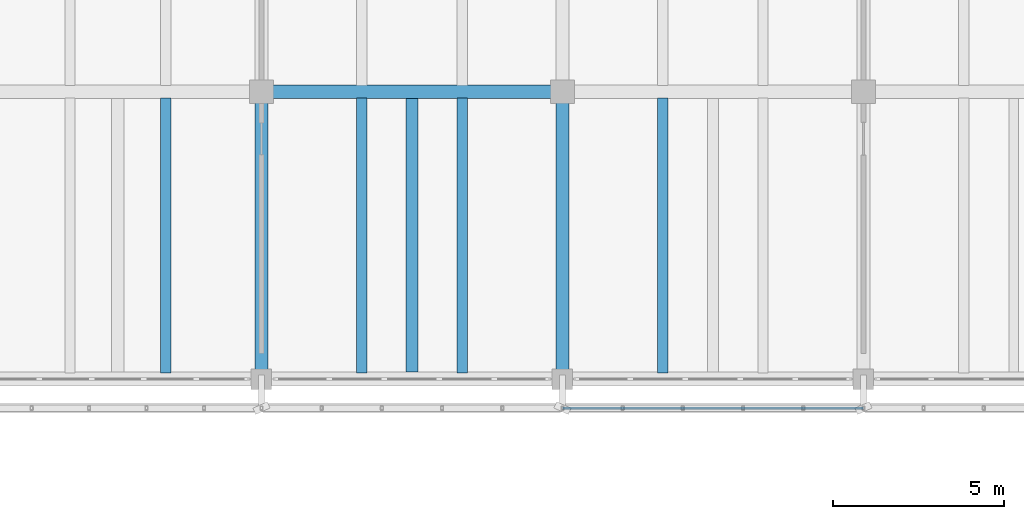
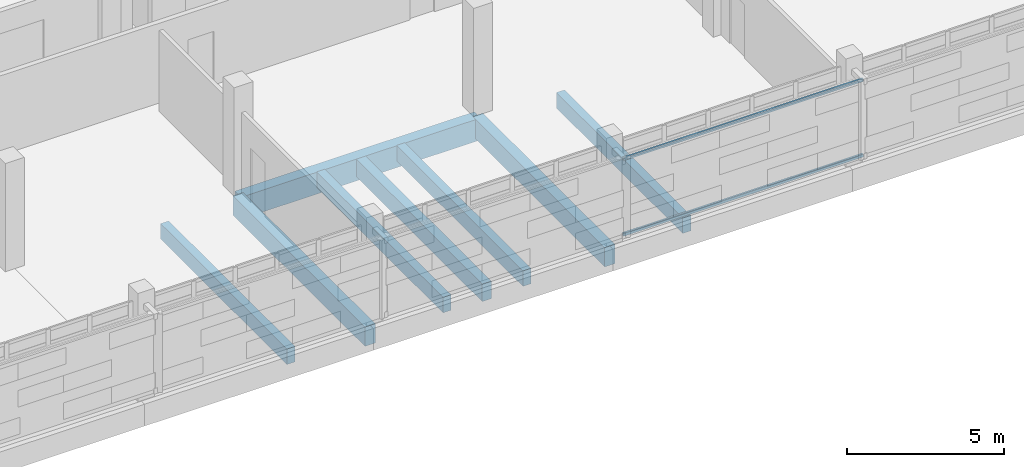
# One storey, part 55 of 137: 8 beams, 2 members.
"""IFC4 building model written with IfcOpenShell, lengths in metres."""

from ifc_helpers import new_model, si_unit, direction, frame, origin, origin_2d, place, context, subcontext, project, spatial, rectangle, hollow_rectangle, extrude, material, material_profile, profile_set, type_object, element, save


model = new_model("IFC4")

# Units and contexts
model_context = context("Model", 3, precision=1e-05, world=origin(), true_north=direction((0.0, 1.0)))
body_context = subcontext(model_context, "Body", "Model", "MODEL_VIEW")
ifc_project = project(units=[si_unit("LENGTHUNIT", "METRE"), si_unit("AREAUNIT", "SQUARE_METRE"), si_unit("VOLUMEUNIT", "CUBIC_METRE"), si_unit("PLANEANGLEUNIT", "RADIAN"), si_unit("MASSUNIT", "GRAM", prefix="KILO")], contexts=[model_context])

# Site, building, storey
site_placement = place(None, origin())
site = spatial("IfcSite", under=ifc_project, at=site_placement, CompositionType="ELEMENT")
building_placement = place(site_placement, origin())
building = spatial("IfcBuilding", under=site, at=building_placement, Name="Cinderway Yard Community Centre", CompositionType="ELEMENT")
storey_placement = place(building_placement, frame((0.0, 0.0, 4.800048828125)))
storey = spatial("IfcBuildingStorey", under=building, at=storey_placement, Name="L01", CompositionType="ELEMENT", Elevation=4.800048828125)

# Members
ifc_material_1 = material(Name="Steel S355", Category="steel")
ifc_material_profile_1 = material_profile(ifc_material_1, hollow_rectangle(XDim=0.080078125, YDim=0.1201171875, WallThickness=0.00634765625, InnerFilletRadius=0.00634765625, OuterFilletRadius=0.0126953125, at=origin_2d()), Name="Steel S355")
ifc_profile_set_1 = profile_set([ifc_material_profile_1], Name="Steel S355")
member_type = type_object("IfcMemberType", Name="ENV-MEM-SCREEN-RAIL-120", PredefinedType="STRINGER", material=ifc_profile_set_1)
for number, where, z_axis, x_axis, name in (
    (1, (84.0, 89.14990234375, 0.7099609375), (1.0, 0.0, 0.0), (0.0, 1.0, 0.0), "Screen support rail 0358-BOT"),
    (2, (84.0, 89.14990234375, 3.639892578125), (1.0, 0.0, 0.0), (0.0, 1.0, 0.0), "Screen support rail 0359-TOP"),
):
    element("IfcMember", number, at=place(storey_placement, frame(where, z_axis=z_axis, x_axis=x_axis)), inside=storey, type_object=member_type, Name=name, PredefinedType="STRINGER", context=body_context, shape_type="SweptSolid", body=[
        extrude(hollow_rectangle(XDim=0.080078125, YDim=0.1201171875, WallThickness=0.00634765625, InnerFilletRadius=0.00634765625, OuterFilletRadius=0.0126953125, at=origin_2d()), origin(), (0.0, 0.0, 1.0), 8.800048828125),
    ])

# Beams
ifc_material_2 = material(Name="Concrete C35/45", Category="concrete")
ifc_material_profile_2 = material_profile(ifc_material_2, rectangle(XDim=0.300048828125, YDim=0.60009765625, at=origin_2d()), Name="Concrete C35/45")
ifc_profile_set_2 = profile_set([ifc_material_profile_2], Name="Concrete C35/45")
beam_type_1 = type_object("IfcBeamType", Name="STR-BM-RC300X600", PredefinedType="JOIST", material=ifc_profile_set_2)
for number, where, z_axis, x_axis, name in (
    (3, (72.39990234375, 90.181884765625, -0.56005859375), (0.0, 1.0, 0.0), (-1.0, 0.0, 0.0), "Secondary joist STR-BM-L01-BJ02-0276"),
    (4, (78.133056640625, 90.181884765625, -0.56005859375), (0.0, 1.0, 0.0), (-1.0, 0.0, 0.0), "Secondary joist STR-BM-L01-BJ02-0281"),
    (5, (81.06689453125, 90.181884765625, -0.56005859375), (0.0, 1.0, 0.0), (-1.0, 0.0, 0.0), "Secondary joist STR-BM-L01-BJ02-0282"),
    (6, (86.93310546875, 90.181884765625, -0.56005859375), (0.0, 1.0, 0.0), (-1.0, 0.0, 0.0), "Secondary joist STR-BM-L01-BJ02-0285"),
):
    element("IfcBeam", number, at=place(storey_placement, frame(where, z_axis=z_axis, x_axis=x_axis)), inside=storey, type_object=beam_type_1, Name=name, PredefinedType="JOIST", context=body_context, shape_type="SweptSolid", body=[
        extrude(rectangle(XDim=0.300048828125, YDim=0.60009765625, at=origin_2d()), origin(), (0.0, 0.0, 1.0), 8.0361328125),
    ])
ifc_material_profile_3 = material_profile(ifc_material_2, rectangle(XDim=0.340087890625, YDim=0.679931640625, at=origin_2d()), Name="Concrete C35/45")
ifc_profile_set_3 = profile_set([ifc_material_profile_3], Name="Concrete C35/45")
beam_type_2 = type_object("IfcBeamType", Name="STR-BM-RC340X680", PredefinedType="BEAM", material=ifc_profile_set_3)
beam_1_placement = place(storey_placement, frame((79.60009765625, 90.199951171875, -0.60009765625), z_axis=(0.0, 1.0, 0.0), x_axis=(-1.0, 0.0, 0.0)))
element("IfcBeam", 7, at=beam_1_placement, inside=storey, type_object=beam_type_2, Name="Mid-bay secondary beam STR-BM-L01-BG10-1166", PredefinedType="BEAM", context=body_context, shape_type="SweptSolid", body=[
    extrude(rectangle(XDim=0.340087890625, YDim=0.679931640625, at=origin_2d()), origin(), (0.0, 0.0, 1.0), 8.0),
])
ifc_material_profile_4 = material_profile(ifc_material_2, rectangle(XDim=0.3798828125, YDim=0.75, at=origin_2d()), Name="Concrete C35/45")
ifc_profile_set_4 = profile_set([ifc_material_profile_4], Name="Concrete C35/45")
beam_type_3 = type_object("IfcBeamType", Name="STR-BM-RC380X750", PredefinedType="BEAM", material=ifc_profile_set_4)
for number, where, z_axis, x_axis, name in (
    (8, (75.199951171875, 90.0, -0.635009765625), (0.0, 1.0, 0.0), (-1.0, 0.0, 0.0), "Transverse girder STR-BM-L01-BG06-0232"),
    (9, (84.0, 90.0, -0.635009765625), (0.0, 1.0, 0.0), (-1.0, 0.0, 0.0), "Transverse girder STR-BM-L01-BG06-0235"),
):
    element("IfcBeam", number, at=place(storey_placement, frame(where, z_axis=z_axis, x_axis=x_axis)), inside=storey, type_object=beam_type_3, Name=name, PredefinedType="BEAM", context=body_context, shape_type="SweptSolid", body=[
        extrude(rectangle(XDim=0.3798828125, YDim=0.75, at=origin_2d()), origin(), (0.0, 0.0, 1.0), 8.39990234375),
    ])
ifc_material_3 = material(Name="Concrete C40/50", Category="concrete")
ifc_material_profile_5 = material_profile(ifc_material_3, rectangle(XDim=0.39990234375, YDim=0.85009765625, at=origin_2d()), Name="Concrete C40/50")
ifc_profile_set_5 = profile_set([ifc_material_profile_5], Name="Concrete C40/50")
beam_type_4 = type_object("IfcBeamType", Name="STR-BM-RC400X850", PredefinedType="BEAM", material=ifc_profile_set_5)
beam_2_placement = place(storey_placement, frame((75.199951171875, 98.39990234375, -0.68505859375), z_axis=(1.0, 0.0, 0.0), x_axis=(0.0, 1.0, 0.0)))
element("IfcBeam", 10, at=beam_2_placement, inside=storey, type_object=beam_type_4, Name="Primary girder STR-BM-L01-BG04-0188", PredefinedType="BEAM", context=body_context, shape_type="SweptSolid", body=[
    extrude(rectangle(XDim=0.39990234375, YDim=0.85009765625, at=origin_2d()), origin(), (0.0, 0.0, 1.0), 8.800048828125),
])

save(model, "model.ifc")
